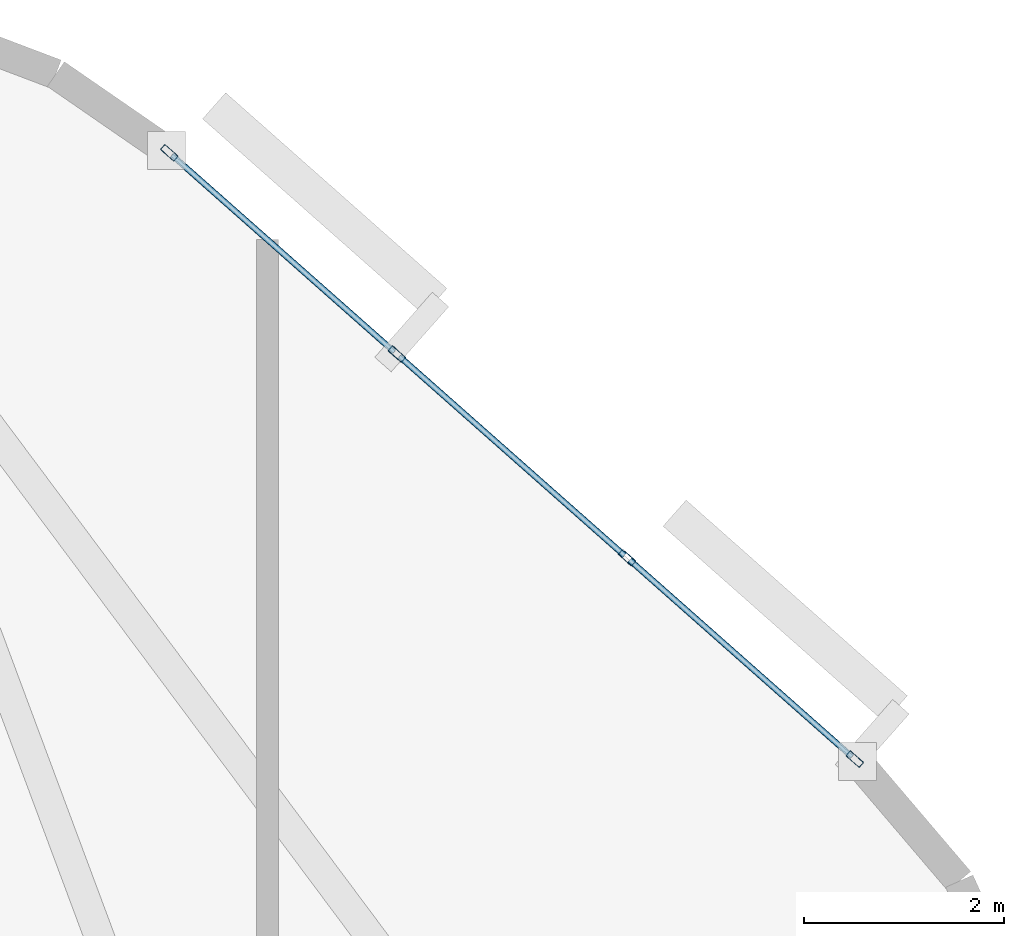
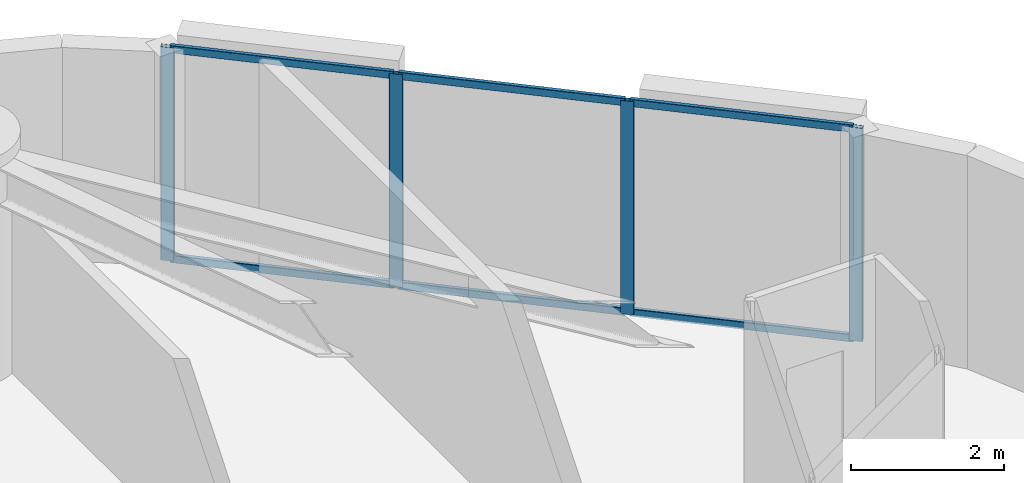
# One storey, part 8 of 17: 10 members, 1 element without a shape of its own.
"""IFC4 building model written with IfcOpenShell, lengths in metres."""

from ifc_helpers import new_model, si_unit, direction, frame, origin, origin_2d, place, context, subcontext, project, spatial, hollow_rectangle, extrude, material, layer, layer_set, material_profile, profile_set, type_object, element, aggregate, save


model = new_model("IFC4")

# Units and contexts
model_context = context("Model", 3, precision=1e-05, world=origin(), true_north=direction((0.0, 1.0)))
body_context = subcontext(model_context, "Body", "Model", "MODEL_VIEW")
ifc_project = project(units=[si_unit("LENGTHUNIT", "METRE"), si_unit("AREAUNIT", "SQUARE_METRE"), si_unit("VOLUMEUNIT", "CUBIC_METRE"), si_unit("PLANEANGLEUNIT", "RADIAN"), si_unit("MASSUNIT", "GRAM", prefix="KILO")], contexts=[model_context])

# Site, building, storey
site_placement = place(None, origin())
site = spatial("IfcSite", under=ifc_project, at=site_placement, CompositionType="ELEMENT")
building_placement = place(site_placement, origin())
building = spatial("IfcBuilding", under=site, at=building_placement, Name="An Khanh Terracotta Commons", CompositionType="ELEMENT")
storey_placement = place(building_placement, frame((0.0, 0.0, 36.0)))
storey = spatial("IfcBuildingStorey", under=building, at=storey_placement, Name="L09", CompositionType="ELEMENT", Elevation=36.0)

# Curtain wall, members
ifc_material = material(Name="Anodised Aluminium 6063-T6", Category="aluminium")
ifc_layer = layer(ifc_material, 0.199951171875, Name="Anodised Aluminium 6063-T6")
ifc_layer_set = layer_set([ifc_layer], Name="Anodised Aluminium 6063-T6")
curtain_wall_type = type_object("IfcCurtainWallType", Name="CW-SYS-02", PredefinedType="USERDEFINED", material=ifc_layer_set)
curtain_wall_placement = place(storey_placement, origin())
curtain_wall = element("IfcCurtainWall", 1, at=curtain_wall_placement, inside=storey, type_object=curtain_wall_type, Name="L09 CW-02 Unitised Curtain Wall CW-L09-16", ObjectType="UNITISED CURTAIN WALL", PredefinedType="USERDEFINED")
ifc_material_profile_1 = material_profile(ifc_material, hollow_rectangle(XDim=0.070068359375, YDim=0.179931640625, WallThickness=0.00390625, InnerFilletRadius=0.00390625, OuterFilletRadius=0.008056640625, at=origin_2d()), Name="RHS180x70x4")
ifc_profile_set_1 = profile_set([ifc_material_profile_1], Name="Anodised Aluminium 6063-T6")
member_type_1 = type_object("IfcMemberType", Name="CWM-RHS180x70x4", PredefinedType="MULLION", material=ifc_profile_set_1)
member_1_placement = place(storey_placement, frame((49.683837890625, 38.295166015625, 0.0), z_axis=(0.0, 0.0, 1.0), x_axis=(-0.662548195415, -0.749019284633, 0.0)))
member_1 = element("IfcMember", 2, at=member_1_placement, type_object=member_type_1, Name="CW-02 mullion 1", PredefinedType="MULLION", context=body_context, shape_type="SweptSolid", body=[
    extrude(hollow_rectangle(XDim=0.070068359375, YDim=0.179931640625, WallThickness=0.00390625, InnerFilletRadius=0.00390625, OuterFilletRadius=0.008056640625, at=origin_2d()), origin(), (0.0, 0.0, 1.0), 3.39990234375),
])
member_2_placement = place(storey_placement, frame((47.403076171875, 40.312744140625, 0.0), z_axis=(0.0, 0.0, 1.0), x_axis=(-0.662548195415, -0.749019284633, 0.0)))
member_2 = element("IfcMember", 3, at=member_2_placement, type_object=member_type_1, Name="CW-02 mullion 2", PredefinedType="MULLION", context=body_context, shape_type="SweptSolid", body=[
    extrude(hollow_rectangle(XDim=0.070068359375, YDim=0.179931640625, WallThickness=0.00390625, InnerFilletRadius=0.00390625, OuterFilletRadius=0.008056640625, at=origin_2d()), origin(), (0.0, 0.0, 1.0), 3.39990234375),
])
member_3_placement = place(storey_placement, frame((45.095947265625, 42.353271484375, 0.0), z_axis=(0.0, 0.0, 1.0), x_axis=(-0.662548195415, -0.749019284633, 0.0)))
member_3 = element("IfcMember", 4, at=member_3_placement, type_object=member_type_1, Name="CW-02 mullion 3", PredefinedType="MULLION", context=body_context, shape_type="SweptSolid", body=[
    extrude(hollow_rectangle(XDim=0.070068359375, YDim=0.179931640625, WallThickness=0.00390625, InnerFilletRadius=0.00390625, OuterFilletRadius=0.008056640625, at=origin_2d()), origin(), (0.0, 0.0, 1.0), 3.39990234375),
])
member_4_placement = place(storey_placement, frame((42.815185546875, 44.370849609375, 0.0), z_axis=(0.0, 0.0, 1.0), x_axis=(-0.662548195415, -0.749019284633, 0.0)))
member_4 = element("IfcMember", 5, at=member_4_placement, type_object=member_type_1, Name="CW-02 mullion 4", PredefinedType="MULLION", context=body_context, shape_type="SweptSolid", body=[
    extrude(hollow_rectangle(XDim=0.070068359375, YDim=0.179931640625, WallThickness=0.00390625, InnerFilletRadius=0.00390625, OuterFilletRadius=0.008056640625, at=origin_2d()), origin(), (0.0, 0.0, 1.0), 3.39990234375),
])
ifc_material_profile_2 = material_profile(ifc_material, hollow_rectangle(XDim=0.06005859375, YDim=0.1201171875, WallThickness=0.003662109375, InnerFilletRadius=0.003662109375, OuterFilletRadius=0.007080078125, at=origin_2d()), Name="RHS120x60x3.6")
ifc_profile_set_2 = profile_set([ifc_material_profile_2], Name="Anodised Aluminium 6063-T6")
member_type_2 = type_object("IfcMemberType", Name="CWT-RHS120x60x3.6", PredefinedType="USERDEFINED", material=ifc_profile_set_2)
member_5_placement = place(storey_placement, frame((49.657470703125, 38.318359375, 0.030029296875), z_axis=(-0.74899186341, 0.662579194168, 0.0), x_axis=(-0.662579194168, -0.74899186341, 0.0)))
member_5 = element("IfcMember", 6, at=member_5_placement, type_object=member_type_2, Name="CW-02 transom 1.1", ObjectType="TRANSOM", PredefinedType="USERDEFINED", context=body_context, shape_type="SweptSolid", body=[
    extrude(hollow_rectangle(XDim=0.06005859375, YDim=0.1201171875, WallThickness=0.003662109375, InnerFilletRadius=0.003662109375, OuterFilletRadius=0.007080078125, at=origin_2d()), origin(), (0.0, 0.0, 1.0), 2.97509765625),
])
member_6_placement = place(storey_placement, frame((49.657470703125, 38.318359375, 3.3701171875), z_axis=(-0.74899186341, 0.662579194168, 0.0), x_axis=(-0.662579194168, -0.74899186341, 0.0)))
member_6 = element("IfcMember", 7, at=member_6_placement, type_object=member_type_2, Name="CW-02 transom 1.2", ObjectType="TRANSOM", PredefinedType="USERDEFINED", context=body_context, shape_type="SweptSolid", body=[
    extrude(hollow_rectangle(XDim=0.06005859375, YDim=0.1201171875, WallThickness=0.003662109375, InnerFilletRadius=0.003662109375, OuterFilletRadius=0.007080078125, at=origin_2d()), origin(), (0.0, 0.0, 1.0), 2.97509765625),
])
member_7_placement = place(storey_placement, frame((47.376708984375, 40.3359375, 0.030029296875), z_axis=(-0.749018237701, 0.662549378984, 0.0), x_axis=(-0.662549378984, -0.749018237701, 0.0)))
member_7 = element("IfcMember", 8, at=member_7_placement, type_object=member_type_2, Name="CW-02 transom 2.1", ObjectType="TRANSOM", PredefinedType="USERDEFINED", context=body_context, shape_type="SweptSolid", body=[
    extrude(hollow_rectangle(XDim=0.06005859375, YDim=0.1201171875, WallThickness=0.003662109375, InnerFilletRadius=0.003662109375, OuterFilletRadius=0.007080078125, at=origin_2d()), origin(), (0.0, 0.0, 1.0), 3.009765625),
])
member_8_placement = place(storey_placement, frame((47.376708984375, 40.3359375, 3.3701171875), z_axis=(-0.749018237701, 0.662549378984, 0.0), x_axis=(-0.662549378984, -0.749018237701, 0.0)))
member_8 = element("IfcMember", 9, at=member_8_placement, type_object=member_type_2, Name="CW-02 transom 2.2", ObjectType="TRANSOM", PredefinedType="USERDEFINED", context=body_context, shape_type="SweptSolid", body=[
    extrude(hollow_rectangle(XDim=0.06005859375, YDim=0.1201171875, WallThickness=0.003662109375, InnerFilletRadius=0.003662109375, OuterFilletRadius=0.007080078125, at=origin_2d()), origin(), (0.0, 0.0, 1.0), 3.009765625),
])
member_9_placement = place(storey_placement, frame((45.06982421875, 42.37646484375, 0.030029296875), z_axis=(-0.74899186341, 0.662579194168, 0.0), x_axis=(-0.662579194168, -0.74899186341, 0.0)))
member_9 = element("IfcMember", 10, at=member_9_placement, type_object=member_type_2, Name="CW-02 transom 3.1", ObjectType="TRANSOM", PredefinedType="USERDEFINED", context=body_context, shape_type="SweptSolid", body=[
    extrude(hollow_rectangle(XDim=0.06005859375, YDim=0.1201171875, WallThickness=0.003662109375, InnerFilletRadius=0.003662109375, OuterFilletRadius=0.007080078125, at=origin_2d()), origin(), (0.0, 0.0, 1.0), 2.97509765625),
])
member_10_placement = place(storey_placement, frame((45.06982421875, 42.37646484375, 3.3701171875), z_axis=(-0.74899186341, 0.662579194168, 0.0), x_axis=(-0.662579194168, -0.74899186341, 0.0)))
member_10 = element("IfcMember", 11, at=member_10_placement, type_object=member_type_2, Name="CW-02 transom 3.2", ObjectType="TRANSOM", PredefinedType="USERDEFINED", context=body_context, shape_type="SweptSolid", body=[
    extrude(hollow_rectangle(XDim=0.06005859375, YDim=0.1201171875, WallThickness=0.003662109375, InnerFilletRadius=0.003662109375, OuterFilletRadius=0.007080078125, at=origin_2d()), origin(), (0.0, 0.0, 1.0), 2.97509765625),
])
aggregate(curtain_wall, [member_1, member_2, member_3, member_4, member_5, member_6, member_7, member_8, member_9, member_10])

save(model, "model.ifc")
